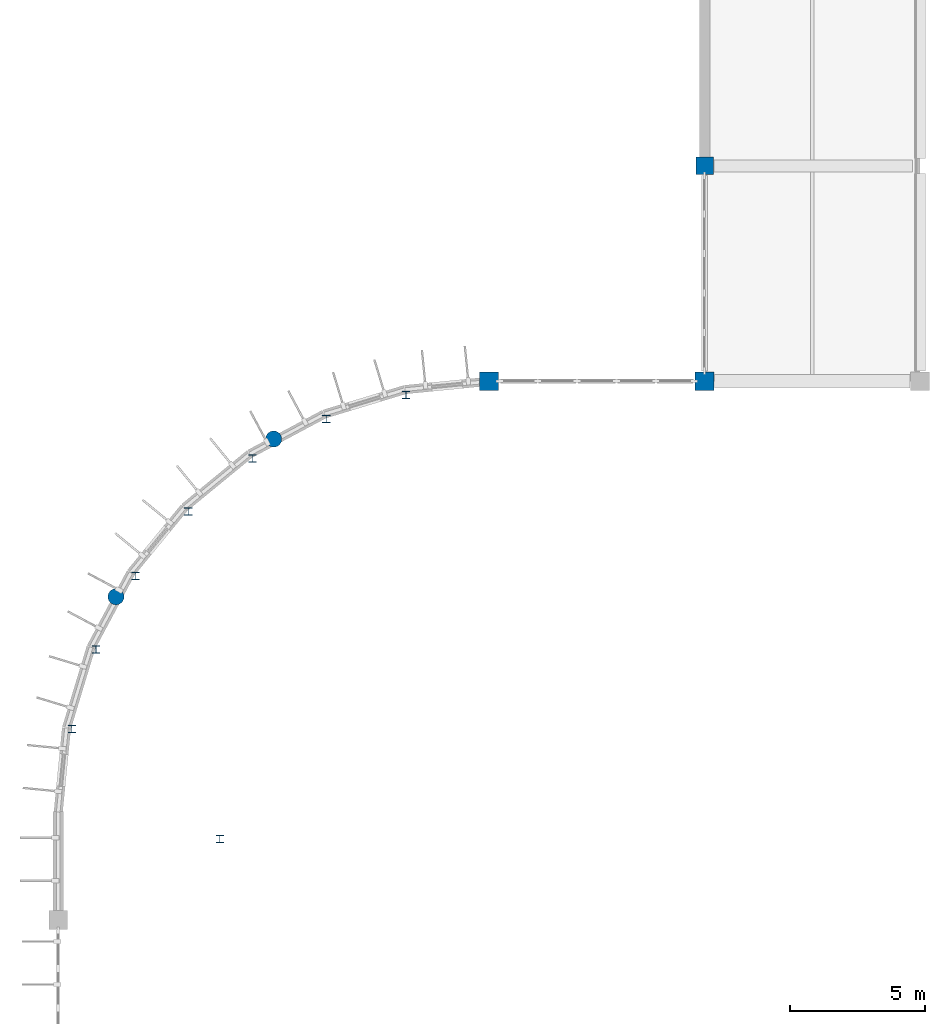
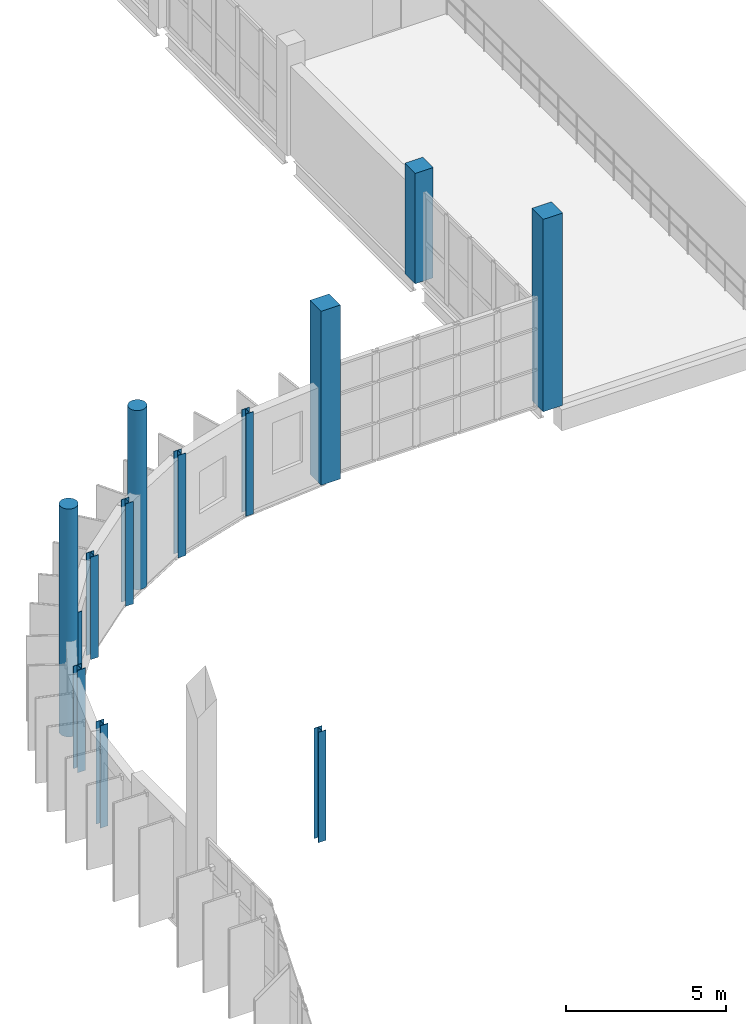
# One storey, part 5 of 66: 13 columns.
"""IFC4 building model written with IfcOpenShell, lengths in metres."""

from ifc_helpers import new_model, si_unit, direction, frame, origin, origin_2d, place, context, subcontext, project, spatial, rectangle, circle, i_section, extrude, material, material_profile, profile_set, type_object, element, save


model = new_model("IFC4")

# Units and contexts
model_context = context("Model", 3, precision=1e-05, world=origin(), true_north=direction((0.0, 1.0)))
body_context = subcontext(model_context, "Body", "Model", "MODEL_VIEW")
ifc_project = project(units=[si_unit("LENGTHUNIT", "METRE"), si_unit("AREAUNIT", "SQUARE_METRE"), si_unit("VOLUMEUNIT", "CUBIC_METRE"), si_unit("PLANEANGLEUNIT", "RADIAN"), si_unit("MASSUNIT", "GRAM", prefix="KILO")], contexts=[model_context])

# Site, building, storey
site_placement = place(None, origin())
site = spatial("IfcSite", under=ifc_project, at=site_placement, CompositionType="ELEMENT")
building_placement = place(site_placement, origin())
building = spatial("IfcBuilding", under=site, at=building_placement, Name="Drelvana Railside Aquatics Centre", CompositionType="ELEMENT")
storey_placement = place(building_placement, frame((0.0, 0.0, 10.199951171875)))
storey = spatial("IfcBuildingStorey", under=building, at=storey_placement, Name="L02", CompositionType="ELEMENT", Elevation=10.199951171875)

# Columns
ifc_material_1 = material(Name="Concrete C40/50", Category="concrete")
ifc_material_profile_1 = material_profile(ifc_material_1, rectangle(XDim=0.64990234375, YDim=0.64990234375, at=origin_2d()), Name="RC 650x650")
ifc_profile_set_1 = profile_set([ifc_material_profile_1], Name="Concrete C40/50")
column_type_1 = type_object("IfcColumnType", Name="STR-COL-RC-650x650", PredefinedType="COLUMN", material=ifc_profile_set_1)
column_1_placement = place(storey_placement, frame((24.0, 92.0, 0.0), z_axis=(0.0, 0.0, 1.0), x_axis=(1.0, 0.0, 0.0)))
element("IfcColumn", 1, at=column_1_placement, inside=storey, type_object=column_type_1, Name="Column C-05 (L02)", PredefinedType="COLUMN", context=body_context, shape_type="SweptSolid", body=[
    extrude(rectangle(XDim=0.64990234375, YDim=0.64990234375, at=origin_2d()), origin(), (0.0, 0.0, 1.0), 4.199951171875),
])
ifc_material_profile_2 = material_profile(ifc_material_1, rectangle(XDim=0.699951171875, YDim=0.699951171875, at=origin_2d()), Name="RC 700x700")
ifc_profile_set_2 = profile_set([ifc_material_profile_2], Name="Concrete C40/50")
column_type_2 = type_object("IfcColumnType", Name="STR-COL-RC-700x700", PredefinedType="COLUMN", material=ifc_profile_set_2)
column_2_placement = place(storey_placement, frame((16.0, 84.0, 0.0), z_axis=(0.0, 0.0, 1.0), x_axis=(1.0, 0.0, 0.0)))
element("IfcColumn", 2, at=column_2_placement, inside=storey, type_object=column_type_2, Name="Column C-06 (L02)", PredefinedType="COLUMN", context=body_context, shape_type="SweptSolid", body=[
    extrude(rectangle(XDim=0.699951171875, YDim=0.699951171875, at=origin_2d()), origin(), (0.0, 0.0, 1.0), 6.625),
])
column_3_placement = place(storey_placement, frame((24.0, 84.0, 0.0), z_axis=(0.0, 0.0, 1.0), x_axis=(1.0, 0.0, 0.0)))
element("IfcColumn", 3, at=column_3_placement, inside=storey, type_object=column_type_2, Name="Column C-06 (L02)", PredefinedType="COLUMN", context=body_context, shape_type="SweptSolid", body=[
    extrude(rectangle(XDim=0.699951171875, YDim=0.699951171875, at=origin_2d()), origin(), (0.0, 0.0, 1.0), 7.324951171875),
])
ifc_material_profile_3 = material_profile(ifc_material_1, circle(Radius=0.300048828125, at=origin_2d()), Name="RC D600")
ifc_profile_set_3 = profile_set([ifc_material_profile_3], Name="Concrete C40/50")
column_type_3 = type_object("IfcColumnType", Name="STR-COL-RC-D600", PredefinedType="PILASTER", material=ifc_profile_set_3)
column_4_placement = place(storey_placement, frame((8.0, 81.8564453125, 0.0), z_axis=(0.0, 0.0, 1.0), x_axis=(1.0, 0.0, 0.0)))
element("IfcColumn", 4, at=column_4_placement, inside=storey, type_object=column_type_3, Name="Column CP-01 (L02)", PredefinedType="PILASTER", context=body_context, shape_type="SweptSolid", body=[
    extrude(circle(Radius=0.300048828125, at=origin_2d()), origin(), (0.0, 0.0, 1.0), 6.82421875),
])
column_5_placement = place(storey_placement, frame((2.1435546875, 76.0, 0.0), z_axis=(0.0, 0.0, 1.0), x_axis=(1.0, 0.0, 0.0)))
element("IfcColumn", 5, at=column_5_placement, inside=storey, type_object=column_type_3, Name="Column CP-01 (L02)", PredefinedType="PILASTER", context=body_context, shape_type="SweptSolid", body=[
    extrude(circle(Radius=0.300048828125, at=origin_2d()), origin(), (0.0, 0.0, 1.0), 8.676513671875),
])
ifc_material_2 = material(Name="Structural steel S355", Category="steel")
ifc_material_profile_4 = material_profile(ifc_material_2, i_section(OverallWidth=0.280029296875, OverallDepth=0.280029296875, WebThickness=0.010498046875, FlangeThickness=0.01806640625, at=origin_2d()), Name="HEB 280")
ifc_profile_set_4 = profile_set([ifc_material_profile_4], Name="Structural steel S355")
column_type_4 = type_object("IfcColumnType", Name="STR-SCOL-HEB-280", PredefinedType="COLUMN", material=ifc_profile_set_4)
for number, where, z_axis, x_axis, name in (
    (6, (12.91748046875, 83.496337890625, 0.0), (0.0, 0.0, 1.0), (1.0, 0.0, 0.0), "V1NW curved chord column 1 (L02)"),
    (7, (9.95361328125, 82.597412109375, 0.0), (0.0, 0.0, 1.0), (1.0, 0.0, 0.0), "V1NW curved chord column 2 (L02)"),
    (8, (7.221923828125, 81.13720703125, 0.0), (0.0, 0.0, 1.0), (1.0, 0.0, 0.0), "V1NW curved chord column 3 (L02)"),
    (9, (4.82763671875, 79.17236328125, 0.0), (0.0, 0.0, 1.0), (1.0, 0.0, 0.0), "V1NW curved chord column 4 (L02)"),
    (10, (2.86279296875, 76.778076171875, 0.0), (0.0, 0.0, 1.0), (1.0, 0.0, 0.0), "V1NW curved chord column 5 (L02)"),
    (11, (1.402587890625, 74.04638671875, 0.0), (0.0, 0.0, 1.0), (1.0, 0.0, 0.0), "V1NW curved chord column 6 (L02)"),
    (12, (0.503662109375, 71.08251953125, 0.0), (0.0, 0.0, 1.0), (1.0, 0.0, 0.0), "V1NW curved chord column 7 (L02)"),
):
    element("IfcColumn", number, at=place(storey_placement, frame(where, z_axis=z_axis, x_axis=x_axis)), inside=storey, type_object=column_type_4, Name=name, PredefinedType="COLUMN", context=body_context, shape_type="SweptSolid", body=[
        extrude(i_section(OverallWidth=0.280029296875, OverallDepth=0.280029296875, WebThickness=0.010498046875, FlangeThickness=0.01806640625, at=origin_2d()), origin(), (0.0, 0.0, 1.0), 3.900146484375),
    ])
column_6_placement = place(storey_placement, frame((6.0, 67.0, 0.0), z_axis=(0.0, 0.0, 1.0), x_axis=(1.0, 0.0, 0.0)))
element("IfcColumn", 13, at=column_6_placement, inside=storey, type_object=column_type_4, Name="Gridshell west end rafter column Y67 (L02)", PredefinedType="COLUMN", context=body_context, shape_type="SweptSolid", body=[
    extrude(i_section(OverallWidth=0.280029296875, OverallDepth=0.280029296875, WebThickness=0.010498046875, FlangeThickness=0.01806640625, at=origin_2d()), origin(), (0.0, 0.0, 1.0), 4.199951171875),
])

save(model, "model.ifc")
